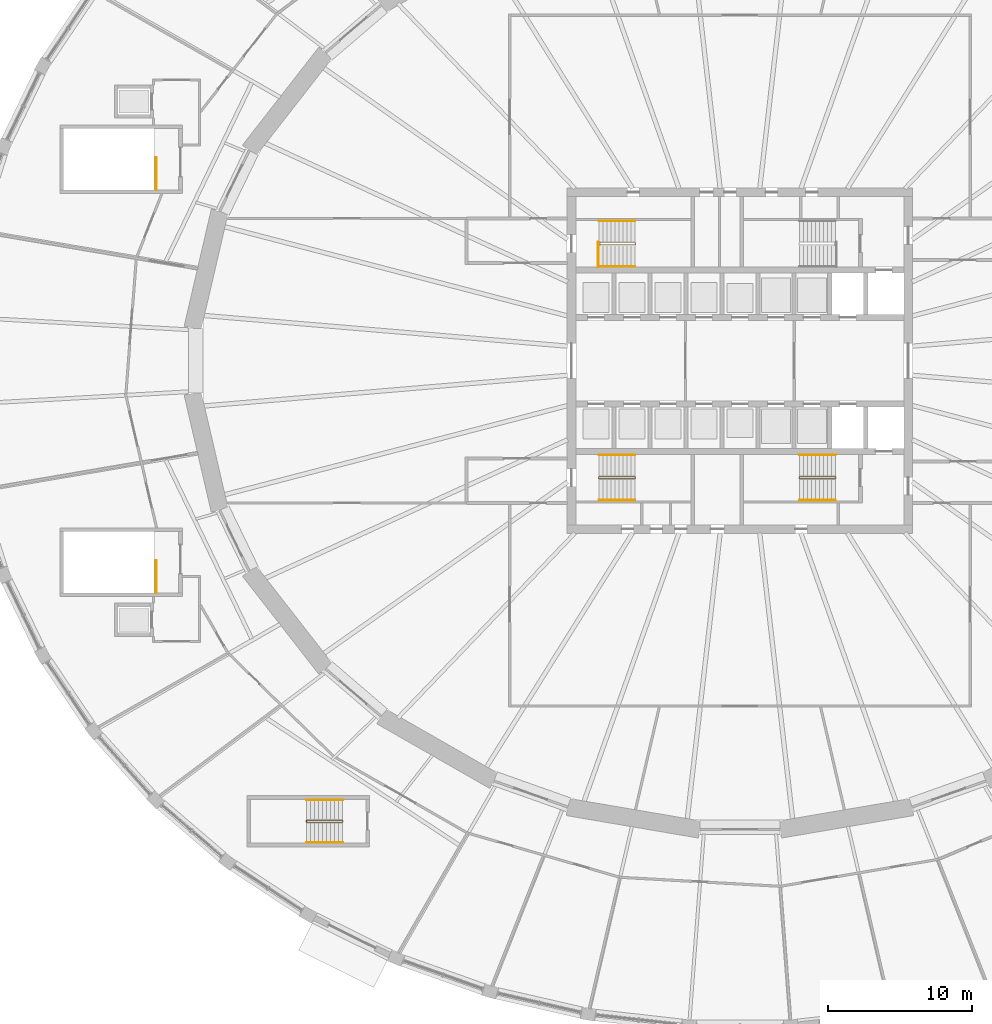
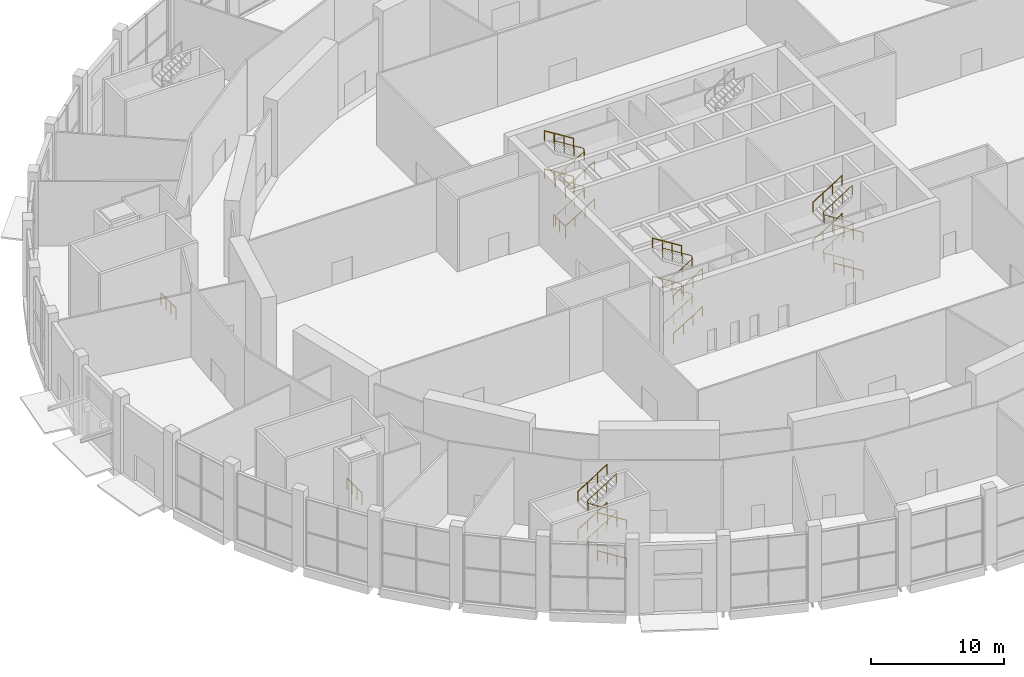
# One storey, part 31 of 33: 23 railings.
"""IFC4 building model written with IfcOpenShell, lengths in metres."""

from ifc_helpers import new_model, si_unit, direction, frame, origin, origin_2d, place, context, subcontext, project, spatial, circle, extrude, material, type_object, element, save


model = new_model("IFC4")

# Units and contexts
model_context = context("Model", 3, precision=1e-05, world=origin(), true_north=direction((0.0, 1.0)))
body_context = subcontext(model_context, "Body", "Model", "MODEL_VIEW")
ifc_project = project(units=[si_unit("LENGTHUNIT", "METRE"), si_unit("AREAUNIT", "SQUARE_METRE"), si_unit("VOLUMEUNIT", "CUBIC_METRE"), si_unit("PLANEANGLEUNIT", "RADIAN"), si_unit("MASSUNIT", "GRAM", prefix="KILO")], contexts=[model_context])

# Site, building, storey
site_placement = place(None, origin())
site = spatial("IfcSite", under=ifc_project, at=site_placement, CompositionType="ELEMENT")
building_placement = place(site_placement, origin())
building = spatial("IfcBuilding", under=site, at=building_placement, Name="Halqa Exchange Tower", CompositionType="ELEMENT")
storey_placement = place(building_placement, origin())
storey = spatial("IfcBuildingStorey", under=building, at=storey_placement, Name="L00", CompositionType="ELEMENT", Elevation=0.0)

# Railings
ifc_material = material(Name="Stainless steel", Category="steel")
railing_type_1 = type_object("IfcRailingType", Name="Stair handrail 900", PredefinedType="HANDRAIL", material=ifc_material)
railing_1_placement = place(storey_placement, frame((-9.800048828125, 8.06005859375, 0.175048828125)))
element("IfcRailing", 1, at=railing_1_placement, inside=storey, type_object=railing_type_1, Name="Handrail ST1.1", PredefinedType="HANDRAIL", context=body_context, shape_type="SweptSolid", body=[
    extrude(circle(Radius=0.02392578125, at=origin_2d()), frame((0.0, 0.0, 0.8759765625), z_axis=(0.848007534815, 0.0, 0.529984170421), x_axis=(0.0, 1.0, 0.0)), (0.0, 0.0, 1.0), 2.9716796875),
    extrude(circle(Radius=0.02392578125, at=origin_2d()), frame((2.52001953125, 0.0, 2.45068359375), z_axis=(0.0, 0.595870227118, 0.803080738428), x_axis=(-1.0, 0.0, 0.0)), (0.0, 0.0, 1.0), 0.218017578125),
    extrude(circle(Radius=0.02392578125, at=origin_2d()), frame((2.52001953125, 0.1298828125, 2.6259765625), z_axis=(-0.848007534815, 0.0, 0.529984170421), x_axis=(0.0, -1.0, 0.0)), (0.0, 0.0, 1.0), 2.9716796875),
    extrude(circle(Radius=0.02392578125, at=origin_2d()), frame((0.0, 0.1298828125, 4.20068359375), z_axis=(0.0, -0.595870227118, 0.803080738428), x_axis=(1.0, 0.0, 0.0)), (0.0, 0.0, 1.0), 0.218017578125),
    extrude(circle(Radius=0.02392578125, at=origin_2d()), frame((0.0, 0.0, 4.3759765625), z_axis=(0.848007534815, 0.0, 0.529984170421), x_axis=(0.0, 1.0, 0.0)), (0.0, 0.0, 1.0), 2.9716796875),
    extrude(circle(Radius=0.02392578125, at=origin_2d()), frame((2.52001953125, 0.0, 5.95068359375), z_axis=(0.0, 0.595870227118, 0.803080738428), x_axis=(-1.0, 0.0, 0.0)), (0.0, 0.0, 1.0), 0.218017578125),
    extrude(circle(Radius=0.02392578125, at=origin_2d()), frame((2.52001953125, 0.1298828125, 6.1259765625), z_axis=(-0.848007534815, 0.0, 0.529984170421), x_axis=(0.0, -1.0, 0.0)), (0.0, 0.0, 1.0), 2.9716796875),
    extrude(circle(Radius=0.02099609375, at=origin_2d()), origin(), (0.0, 0.0, 1.0), 0.851806640625),
    extrude(circle(Radius=0.02099609375, at=origin_2d()), frame((0.840087890625, 0.0, 0.52490234375)), (0.0, 0.0, 1.0), 0.851806640625),
    extrude(circle(Radius=0.02099609375, at=origin_2d()), frame((1.679931640625, 0.0, 1.050048828125)), (0.0, 0.0, 1.0), 0.851806640625),
    extrude(circle(Radius=0.02099609375, at=origin_2d()), frame((2.52001953125, 0.0, 1.574951171875)), (0.0, 0.0, 1.0), 0.851806640625),
    extrude(circle(Radius=0.02099609375, at=origin_2d()), frame((2.52001953125, 0.1298828125, 1.75)), (0.0, 0.0, 1.0), 0.851806640625),
    extrude(circle(Radius=0.02099609375, at=origin_2d()), frame((1.679931640625, 0.1298828125, 2.27490234375)), (0.0, 0.0, 1.0), 0.851806640625),
    extrude(circle(Radius=0.02099609375, at=origin_2d()), frame((0.840087890625, 0.1298828125, 2.800048828125)), (0.0, 0.0, 1.0), 0.851806640625),
    extrude(circle(Radius=0.02099609375, at=origin_2d()), frame((0.0, 0.1298828125, 3.324951171875)), (0.0, 0.0, 1.0), 0.851806640625),
    extrude(circle(Radius=0.02099609375, at=origin_2d()), frame((0.0, 0.0, 3.5)), (0.0, 0.0, 1.0), 0.851806640625),
    extrude(circle(Radius=0.02099609375, at=origin_2d()), frame((0.840087890625, 0.0, 4.02490234375)), (0.0, 0.0, 1.0), 0.851806640625),
    extrude(circle(Radius=0.02099609375, at=origin_2d()), frame((1.679931640625, 0.0, 4.550048828125)), (0.0, 0.0, 1.0), 0.851806640625),
    extrude(circle(Radius=0.02099609375, at=origin_2d()), frame((2.52001953125, 0.0, 5.074951171875)), (0.0, 0.0, 1.0), 0.851806640625),
    extrude(circle(Radius=0.02099609375, at=origin_2d()), frame((2.52001953125, 0.1298828125, 5.25)), (0.0, 0.0, 1.0), 0.851806640625),
    extrude(circle(Radius=0.02099609375, at=origin_2d()), frame((1.679931640625, 0.1298828125, 5.77490234375)), (0.0, 0.0, 1.0), 0.851806640625),
    extrude(circle(Radius=0.02099609375, at=origin_2d()), frame((0.840087890625, 0.1298828125, 6.300048828125)), (0.0, 0.0, 1.0), 0.851806640625),
    extrude(circle(Radius=0.02099609375, at=origin_2d()), frame((0.0, 0.1298828125, 6.824951171875)), (0.0, 0.0, 1.0), 0.851806640625),
])
railing_2_placement = place(storey_placement, frame((-9.800048828125, 6.550048828125, 0.175048828125)))
element("IfcRailing", 2, at=railing_2_placement, inside=storey, type_object=railing_type_1, Name="Handrail ST1.2", PredefinedType="HANDRAIL", context=body_context, shape_type="SweptSolid", body=[
    extrude(circle(Radius=0.02392578125, at=origin_2d()), frame((0.0, 0.0, 0.8759765625), z_axis=(0.848007534815, 0.0, 0.529984170421), x_axis=(0.0, 1.0, 0.0)), (0.0, 0.0, 1.0), 2.9716796875),
    extrude(circle(Radius=0.02099609375, at=origin_2d()), origin(), (0.0, 0.0, 1.0), 0.851806640625),
    extrude(circle(Radius=0.02099609375, at=origin_2d()), frame((0.840087890625, 0.0, 0.52490234375)), (0.0, 0.0, 1.0), 0.851806640625),
    extrude(circle(Radius=0.02099609375, at=origin_2d()), frame((1.679931640625, 0.0, 1.050048828125)), (0.0, 0.0, 1.0), 0.851806640625),
    extrude(circle(Radius=0.02099609375, at=origin_2d()), frame((2.52001953125, 0.0, 1.574951171875)), (0.0, 0.0, 1.0), 0.851806640625),
])
railing_3_placement = place(storey_placement, frame((-7.280029296875, 9.699951171875, 1.925048828125)))
element("IfcRailing", 3, at=railing_3_placement, inside=storey, type_object=railing_type_1, Name="Handrail ST1.3", PredefinedType="HANDRAIL", context=body_context, shape_type="SweptSolid", body=[
    extrude(circle(Radius=0.02392578125, at=origin_2d()), frame((0.0, 0.0, 0.8759765625), z_axis=(-0.848007534815, 0.0, 0.529984170421), x_axis=(0.0, -1.0, 0.0)), (0.0, 0.0, 1.0), 2.9716796875),
    extrude(circle(Radius=0.02099609375, at=origin_2d()), origin(), (0.0, 0.0, 1.0), 0.851806640625),
    extrude(circle(Radius=0.02099609375, at=origin_2d()), frame((-0.840087890625, 0.0, 0.52490234375)), (0.0, 0.0, 1.0), 0.851806640625),
    extrude(circle(Radius=0.02099609375, at=origin_2d()), frame((-1.679931640625, 0.0, 1.050048828125)), (0.0, 0.0, 1.0), 0.851806640625),
    extrude(circle(Radius=0.02099609375, at=origin_2d()), frame((-2.52001953125, 0.0, 1.574951171875)), (0.0, 0.0, 1.0), 0.851806640625),
])
railing_4_placement = place(storey_placement, frame((-9.800048828125, 6.550048828125, 3.675048828125)))
element("IfcRailing", 4, at=railing_4_placement, inside=storey, type_object=railing_type_1, Name="Handrail ST1.4", PredefinedType="HANDRAIL", context=body_context, shape_type="SweptSolid", body=[
    extrude(circle(Radius=0.02392578125, at=origin_2d()), frame((0.0, 0.0, 0.8759765625), z_axis=(0.848007534815, 0.0, 0.529984170421), x_axis=(0.0, 1.0, 0.0)), (0.0, 0.0, 1.0), 2.9716796875),
    extrude(circle(Radius=0.02099609375, at=origin_2d()), origin(), (0.0, 0.0, 1.0), 0.851806640625),
    extrude(circle(Radius=0.02099609375, at=origin_2d()), frame((0.840087890625, 0.0, 0.52490234375)), (0.0, 0.0, 1.0), 0.851806640625),
    extrude(circle(Radius=0.02099609375, at=origin_2d()), frame((1.679931640625, 0.0, 1.050048828125)), (0.0, 0.0, 1.0), 0.851806640625),
    extrude(circle(Radius=0.02099609375, at=origin_2d()), frame((2.52001953125, 0.0, 1.574951171875)), (0.0, 0.0, 1.0), 0.851806640625),
])
railing_5_placement = place(storey_placement, frame((-7.280029296875, 9.699951171875, 5.425048828125)))
element("IfcRailing", 5, at=railing_5_placement, inside=storey, type_object=railing_type_1, Name="Handrail ST1.5", PredefinedType="HANDRAIL", context=body_context, shape_type="SweptSolid", body=[
    extrude(circle(Radius=0.02392578125, at=origin_2d()), frame((0.0, 0.0, 0.8759765625), z_axis=(-0.848007534815, 0.0, 0.529984170421), x_axis=(0.0, -1.0, 0.0)), (0.0, 0.0, 1.0), 2.9716796875),
    extrude(circle(Radius=0.02099609375, at=origin_2d()), origin(), (0.0, 0.0, 1.0), 0.851806640625),
    extrude(circle(Radius=0.02099609375, at=origin_2d()), frame((-0.840087890625, 0.0, 0.52490234375)), (0.0, 0.0, 1.0), 0.851806640625),
    extrude(circle(Radius=0.02099609375, at=origin_2d()), frame((-1.679931640625, 0.0, 1.050048828125)), (0.0, 0.0, 1.0), 0.851806640625),
    extrude(circle(Radius=0.02099609375, at=origin_2d()), frame((-2.52001953125, 0.0, 1.574951171875)), (0.0, 0.0, 1.0), 0.851806640625),
])
railing_6_placement = place(storey_placement, frame((-9.800048828125, -8.18994140625, 0.175048828125)))
element("IfcRailing", 6, at=railing_6_placement, inside=storey, type_object=railing_type_1, Name="Handrail ST3.1", PredefinedType="HANDRAIL", context=body_context, shape_type="SweptSolid", body=[
    extrude(circle(Radius=0.02392578125, at=origin_2d()), frame((0.0, 0.0, 0.8759765625), z_axis=(0.848007534815, 0.0, 0.529984170421), x_axis=(0.0, 1.0, 0.0)), (0.0, 0.0, 1.0), 2.9716796875),
    extrude(circle(Radius=0.02392578125, at=origin_2d()), frame((2.52001953125, 0.0, 2.45068359375), z_axis=(0.0, 0.595870227118, 0.803080738428), x_axis=(-1.0, 0.0, 0.0)), (0.0, 0.0, 1.0), 0.218017578125),
    extrude(circle(Radius=0.02392578125, at=origin_2d()), frame((2.52001953125, 0.1298828125, 2.6259765625), z_axis=(-0.848007534815, 0.0, 0.529984170421), x_axis=(0.0, -1.0, 0.0)), (0.0, 0.0, 1.0), 2.9716796875),
    extrude(circle(Radius=0.02392578125, at=origin_2d()), frame((0.0, 0.1298828125, 4.20068359375), z_axis=(0.0, -0.595870227118, 0.803080738428), x_axis=(1.0, 0.0, 0.0)), (0.0, 0.0, 1.0), 0.218017578125),
    extrude(circle(Radius=0.02392578125, at=origin_2d()), frame((0.0, 0.0, 4.3759765625), z_axis=(0.848007534815, 0.0, 0.529984170421), x_axis=(0.0, 1.0, 0.0)), (0.0, 0.0, 1.0), 2.9716796875),
    extrude(circle(Radius=0.02392578125, at=origin_2d()), frame((2.52001953125, 0.0, 5.95068359375), z_axis=(0.0, 0.595870227118, 0.803080738428), x_axis=(-1.0, 0.0, 0.0)), (0.0, 0.0, 1.0), 0.218017578125),
    extrude(circle(Radius=0.02392578125, at=origin_2d()), frame((2.52001953125, 0.1298828125, 6.1259765625), z_axis=(-0.848007534815, 0.0, 0.529984170421), x_axis=(0.0, -1.0, 0.0)), (0.0, 0.0, 1.0), 2.9716796875),
    extrude(circle(Radius=0.02099609375, at=origin_2d()), origin(), (0.0, 0.0, 1.0), 0.851806640625),
    extrude(circle(Radius=0.02099609375, at=origin_2d()), frame((0.840087890625, 0.0, 0.52490234375)), (0.0, 0.0, 1.0), 0.851806640625),
    extrude(circle(Radius=0.02099609375, at=origin_2d()), frame((1.679931640625, 0.0, 1.050048828125)), (0.0, 0.0, 1.0), 0.851806640625),
    extrude(circle(Radius=0.02099609375, at=origin_2d()), frame((2.52001953125, 0.0, 1.574951171875)), (0.0, 0.0, 1.0), 0.851806640625),
    extrude(circle(Radius=0.02099609375, at=origin_2d()), frame((2.52001953125, 0.1298828125, 1.75)), (0.0, 0.0, 1.0), 0.851806640625),
    extrude(circle(Radius=0.02099609375, at=origin_2d()), frame((1.679931640625, 0.1298828125, 2.27490234375)), (0.0, 0.0, 1.0), 0.851806640625),
    extrude(circle(Radius=0.02099609375, at=origin_2d()), frame((0.840087890625, 0.1298828125, 2.800048828125)), (0.0, 0.0, 1.0), 0.851806640625),
    extrude(circle(Radius=0.02099609375, at=origin_2d()), frame((0.0, 0.1298828125, 3.324951171875)), (0.0, 0.0, 1.0), 0.851806640625),
    extrude(circle(Radius=0.02099609375, at=origin_2d()), frame((0.0, 0.0, 3.5)), (0.0, 0.0, 1.0), 0.851806640625),
    extrude(circle(Radius=0.02099609375, at=origin_2d()), frame((0.840087890625, 0.0, 4.02490234375)), (0.0, 0.0, 1.0), 0.851806640625),
    extrude(circle(Radius=0.02099609375, at=origin_2d()), frame((1.679931640625, 0.0, 4.550048828125)), (0.0, 0.0, 1.0), 0.851806640625),
    extrude(circle(Radius=0.02099609375, at=origin_2d()), frame((2.52001953125, 0.0, 5.074951171875)), (0.0, 0.0, 1.0), 0.851806640625),
    extrude(circle(Radius=0.02099609375, at=origin_2d()), frame((2.52001953125, 0.1298828125, 5.25)), (0.0, 0.0, 1.0), 0.851806640625),
    extrude(circle(Radius=0.02099609375, at=origin_2d()), frame((1.679931640625, 0.1298828125, 5.77490234375)), (0.0, 0.0, 1.0), 0.851806640625),
    extrude(circle(Radius=0.02099609375, at=origin_2d()), frame((0.840087890625, 0.1298828125, 6.300048828125)), (0.0, 0.0, 1.0), 0.851806640625),
    extrude(circle(Radius=0.02099609375, at=origin_2d()), frame((0.0, 0.1298828125, 6.824951171875)), (0.0, 0.0, 1.0), 0.851806640625),
])
railing_7_placement = place(storey_placement, frame((-9.800048828125, -9.699951171875, 0.175048828125)))
element("IfcRailing", 7, at=railing_7_placement, inside=storey, type_object=railing_type_1, Name="Handrail ST3.2", PredefinedType="HANDRAIL", context=body_context, shape_type="SweptSolid", body=[
    extrude(circle(Radius=0.02392578125, at=origin_2d()), frame((0.0, 0.0, 0.8759765625), z_axis=(0.848007534815, 0.0, 0.529984170421), x_axis=(0.0, 1.0, 0.0)), (0.0, 0.0, 1.0), 2.9716796875),
    extrude(circle(Radius=0.02099609375, at=origin_2d()), origin(), (0.0, 0.0, 1.0), 0.851806640625),
    extrude(circle(Radius=0.02099609375, at=origin_2d()), frame((0.840087890625, 0.0, 0.52490234375)), (0.0, 0.0, 1.0), 0.851806640625),
    extrude(circle(Radius=0.02099609375, at=origin_2d()), frame((1.679931640625, 0.0, 1.050048828125)), (0.0, 0.0, 1.0), 0.851806640625),
    extrude(circle(Radius=0.02099609375, at=origin_2d()), frame((2.52001953125, 0.0, 1.574951171875)), (0.0, 0.0, 1.0), 0.851806640625),
])
railing_8_placement = place(storey_placement, frame((-7.280029296875, -6.550048828125, 1.925048828125)))
element("IfcRailing", 8, at=railing_8_placement, inside=storey, type_object=railing_type_1, Name="Handrail ST3.3", PredefinedType="HANDRAIL", context=body_context, shape_type="SweptSolid", body=[
    extrude(circle(Radius=0.02392578125, at=origin_2d()), frame((0.0, 0.0, 0.8759765625), z_axis=(-0.848007534815, 0.0, 0.529984170421), x_axis=(0.0, -1.0, 0.0)), (0.0, 0.0, 1.0), 2.9716796875),
    extrude(circle(Radius=0.02099609375, at=origin_2d()), origin(), (0.0, 0.0, 1.0), 0.851806640625),
    extrude(circle(Radius=0.02099609375, at=origin_2d()), frame((-0.840087890625, 0.0, 0.52490234375)), (0.0, 0.0, 1.0), 0.851806640625),
    extrude(circle(Radius=0.02099609375, at=origin_2d()), frame((-1.679931640625, 0.0, 1.050048828125)), (0.0, 0.0, 1.0), 0.851806640625),
    extrude(circle(Radius=0.02099609375, at=origin_2d()), frame((-2.52001953125, 0.0, 1.574951171875)), (0.0, 0.0, 1.0), 0.851806640625),
])
railing_9_placement = place(storey_placement, frame((-9.800048828125, -9.699951171875, 3.675048828125)))
element("IfcRailing", 9, at=railing_9_placement, inside=storey, type_object=railing_type_1, Name="Handrail ST3.4", PredefinedType="HANDRAIL", context=body_context, shape_type="SweptSolid", body=[
    extrude(circle(Radius=0.02392578125, at=origin_2d()), frame((0.0, 0.0, 0.8759765625), z_axis=(0.848007534815, 0.0, 0.529984170421), x_axis=(0.0, 1.0, 0.0)), (0.0, 0.0, 1.0), 2.9716796875),
    extrude(circle(Radius=0.02099609375, at=origin_2d()), origin(), (0.0, 0.0, 1.0), 0.851806640625),
    extrude(circle(Radius=0.02099609375, at=origin_2d()), frame((0.840087890625, 0.0, 0.52490234375)), (0.0, 0.0, 1.0), 0.851806640625),
    extrude(circle(Radius=0.02099609375, at=origin_2d()), frame((1.679931640625, 0.0, 1.050048828125)), (0.0, 0.0, 1.0), 0.851806640625),
    extrude(circle(Radius=0.02099609375, at=origin_2d()), frame((2.52001953125, 0.0, 1.574951171875)), (0.0, 0.0, 1.0), 0.851806640625),
])
railing_10_placement = place(storey_placement, frame((-7.280029296875, -6.550048828125, 5.425048828125)))
element("IfcRailing", 10, at=railing_10_placement, inside=storey, type_object=railing_type_1, Name="Handrail ST3.5", PredefinedType="HANDRAIL", context=body_context, shape_type="SweptSolid", body=[
    extrude(circle(Radius=0.02392578125, at=origin_2d()), frame((0.0, 0.0, 0.8759765625), z_axis=(-0.848007534815, 0.0, 0.529984170421), x_axis=(0.0, -1.0, 0.0)), (0.0, 0.0, 1.0), 2.9716796875),
    extrude(circle(Radius=0.02099609375, at=origin_2d()), origin(), (0.0, 0.0, 1.0), 0.851806640625),
    extrude(circle(Radius=0.02099609375, at=origin_2d()), frame((-0.840087890625, 0.0, 0.52490234375)), (0.0, 0.0, 1.0), 0.851806640625),
    extrude(circle(Radius=0.02099609375, at=origin_2d()), frame((-1.679931640625, 0.0, 1.050048828125)), (0.0, 0.0, 1.0), 0.851806640625),
    extrude(circle(Radius=0.02099609375, at=origin_2d()), frame((-2.52001953125, 0.0, 1.574951171875)), (0.0, 0.0, 1.0), 0.851806640625),
])
railing_11_placement = place(storey_placement, frame((6.64990234375, -8.18994140625, 0.175048828125)))
element("IfcRailing", 11, at=railing_11_placement, inside=storey, type_object=railing_type_1, Name="Handrail ST4.1", PredefinedType="HANDRAIL", context=body_context, shape_type="SweptSolid", body=[
    extrude(circle(Radius=0.02392578125, at=origin_2d()), frame((0.0, 0.0, 0.8759765625), z_axis=(-0.848007534815, 0.0, 0.529984170421), x_axis=(0.0, -1.0, 0.0)), (0.0, 0.0, 1.0), 2.9716796875),
    extrude(circle(Radius=0.02392578125, at=origin_2d()), frame((-2.52001953125, 0.0, 2.45068359375), z_axis=(0.0, 0.595870227118, 0.803080738428), x_axis=(-1.0, 0.0, 0.0)), (0.0, 0.0, 1.0), 0.218017578125),
    extrude(circle(Radius=0.02392578125, at=origin_2d()), frame((-2.52001953125, 0.1298828125, 2.6259765625), z_axis=(0.848007534815, 0.0, 0.529984170421), x_axis=(0.0, 1.0, 0.0)), (0.0, 0.0, 1.0), 2.9716796875),
    extrude(circle(Radius=0.02392578125, at=origin_2d()), frame((0.0, 0.1298828125, 4.20068359375), z_axis=(0.0, -0.595870227118, 0.803080738428), x_axis=(1.0, 0.0, 0.0)), (0.0, 0.0, 1.0), 0.218017578125),
    extrude(circle(Radius=0.02392578125, at=origin_2d()), frame((0.0, 0.0, 4.3759765625), z_axis=(-0.848007534815, 0.0, 0.529984170421), x_axis=(0.0, -1.0, 0.0)), (0.0, 0.0, 1.0), 2.9716796875),
    extrude(circle(Radius=0.02392578125, at=origin_2d()), frame((-2.52001953125, 0.0, 5.95068359375), z_axis=(0.0, 0.595870227118, 0.803080738428), x_axis=(-1.0, 0.0, 0.0)), (0.0, 0.0, 1.0), 0.218017578125),
    extrude(circle(Radius=0.02392578125, at=origin_2d()), frame((-2.52001953125, 0.1298828125, 6.1259765625), z_axis=(0.848007534815, 0.0, 0.529984170421), x_axis=(0.0, 1.0, 0.0)), (0.0, 0.0, 1.0), 2.9716796875),
    extrude(circle(Radius=0.02099609375, at=origin_2d()), origin(), (0.0, 0.0, 1.0), 0.851806640625),
    extrude(circle(Radius=0.02099609375, at=origin_2d()), frame((-0.840087890625, 0.0, 0.52490234375)), (0.0, 0.0, 1.0), 0.851806640625),
    extrude(circle(Radius=0.02099609375, at=origin_2d()), frame((-1.679931640625, 0.0, 1.050048828125)), (0.0, 0.0, 1.0), 0.851806640625),
    extrude(circle(Radius=0.02099609375, at=origin_2d()), frame((-2.52001953125, 0.0, 1.574951171875)), (0.0, 0.0, 1.0), 0.851806640625),
    extrude(circle(Radius=0.02099609375, at=origin_2d()), frame((-2.52001953125, 0.1298828125, 1.75)), (0.0, 0.0, 1.0), 0.851806640625),
    extrude(circle(Radius=0.02099609375, at=origin_2d()), frame((-1.679931640625, 0.1298828125, 2.27490234375)), (0.0, 0.0, 1.0), 0.851806640625),
    extrude(circle(Radius=0.02099609375, at=origin_2d()), frame((-0.840087890625, 0.1298828125, 2.800048828125)), (0.0, 0.0, 1.0), 0.851806640625),
    extrude(circle(Radius=0.02099609375, at=origin_2d()), frame((0.0, 0.1298828125, 3.324951171875)), (0.0, 0.0, 1.0), 0.851806640625),
    extrude(circle(Radius=0.02099609375, at=origin_2d()), frame((0.0, 0.0, 3.5)), (0.0, 0.0, 1.0), 0.851806640625),
    extrude(circle(Radius=0.02099609375, at=origin_2d()), frame((-0.840087890625, 0.0, 4.02490234375)), (0.0, 0.0, 1.0), 0.851806640625),
    extrude(circle(Radius=0.02099609375, at=origin_2d()), frame((-1.679931640625, 0.0, 4.550048828125)), (0.0, 0.0, 1.0), 0.851806640625),
    extrude(circle(Radius=0.02099609375, at=origin_2d()), frame((-2.52001953125, 0.0, 5.074951171875)), (0.0, 0.0, 1.0), 0.851806640625),
    extrude(circle(Radius=0.02099609375, at=origin_2d()), frame((-2.52001953125, 0.1298828125, 5.25)), (0.0, 0.0, 1.0), 0.851806640625),
    extrude(circle(Radius=0.02099609375, at=origin_2d()), frame((-1.679931640625, 0.1298828125, 5.77490234375)), (0.0, 0.0, 1.0), 0.851806640625),
    extrude(circle(Radius=0.02099609375, at=origin_2d()), frame((-0.840087890625, 0.1298828125, 6.300048828125)), (0.0, 0.0, 1.0), 0.851806640625),
    extrude(circle(Radius=0.02099609375, at=origin_2d()), frame((0.0, 0.1298828125, 6.824951171875)), (0.0, 0.0, 1.0), 0.851806640625),
])
railing_12_placement = place(storey_placement, frame((6.64990234375, -9.699951171875, 0.175048828125)))
element("IfcRailing", 12, at=railing_12_placement, inside=storey, type_object=railing_type_1, Name="Handrail ST4.2", PredefinedType="HANDRAIL", context=body_context, shape_type="SweptSolid", body=[
    extrude(circle(Radius=0.02392578125, at=origin_2d()), frame((0.0, 0.0, 0.8759765625), z_axis=(-0.848007534815, 0.0, 0.529984170421), x_axis=(0.0, -1.0, 0.0)), (0.0, 0.0, 1.0), 2.9716796875),
    extrude(circle(Radius=0.02099609375, at=origin_2d()), origin(), (0.0, 0.0, 1.0), 0.851806640625),
    extrude(circle(Radius=0.02099609375, at=origin_2d()), frame((-0.840087890625, 0.0, 0.52490234375)), (0.0, 0.0, 1.0), 0.851806640625),
    extrude(circle(Radius=0.02099609375, at=origin_2d()), frame((-1.679931640625, 0.0, 1.050048828125)), (0.0, 0.0, 1.0), 0.851806640625),
    extrude(circle(Radius=0.02099609375, at=origin_2d()), frame((-2.52001953125, 0.0, 1.574951171875)), (0.0, 0.0, 1.0), 0.851806640625),
])
railing_13_placement = place(storey_placement, frame((4.1298828125, -6.550048828125, 1.925048828125)))
element("IfcRailing", 13, at=railing_13_placement, inside=storey, type_object=railing_type_1, Name="Handrail ST4.3", PredefinedType="HANDRAIL", context=body_context, shape_type="SweptSolid", body=[
    extrude(circle(Radius=0.02392578125, at=origin_2d()), frame((0.0, 0.0, 0.8759765625), z_axis=(0.848007534815, 0.0, 0.529984170421), x_axis=(0.0, 1.0, 0.0)), (0.0, 0.0, 1.0), 2.9716796875),
    extrude(circle(Radius=0.02099609375, at=origin_2d()), origin(), (0.0, 0.0, 1.0), 0.851806640625),
    extrude(circle(Radius=0.02099609375, at=origin_2d()), frame((0.840087890625, 0.0, 0.52490234375)), (0.0, 0.0, 1.0), 0.851806640625),
    extrude(circle(Radius=0.02099609375, at=origin_2d()), frame((1.679931640625, 0.0, 1.050048828125)), (0.0, 0.0, 1.0), 0.851806640625),
    extrude(circle(Radius=0.02099609375, at=origin_2d()), frame((2.52001953125, 0.0, 1.574951171875)), (0.0, 0.0, 1.0), 0.851806640625),
])
railing_14_placement = place(storey_placement, frame((6.64990234375, -9.699951171875, 3.675048828125)))
element("IfcRailing", 14, at=railing_14_placement, inside=storey, type_object=railing_type_1, Name="Handrail ST4.4", PredefinedType="HANDRAIL", context=body_context, shape_type="SweptSolid", body=[
    extrude(circle(Radius=0.02392578125, at=origin_2d()), frame((0.0, 0.0, 0.8759765625), z_axis=(-0.848007534815, 0.0, 0.529984170421), x_axis=(0.0, -1.0, 0.0)), (0.0, 0.0, 1.0), 2.9716796875),
    extrude(circle(Radius=0.02099609375, at=origin_2d()), origin(), (0.0, 0.0, 1.0), 0.851806640625),
    extrude(circle(Radius=0.02099609375, at=origin_2d()), frame((-0.840087890625, 0.0, 0.52490234375)), (0.0, 0.0, 1.0), 0.851806640625),
    extrude(circle(Radius=0.02099609375, at=origin_2d()), frame((-1.679931640625, 0.0, 1.050048828125)), (0.0, 0.0, 1.0), 0.851806640625),
    extrude(circle(Radius=0.02099609375, at=origin_2d()), frame((-2.52001953125, 0.0, 1.574951171875)), (0.0, 0.0, 1.0), 0.851806640625),
])
railing_15_placement = place(storey_placement, frame((4.1298828125, -6.550048828125, 5.425048828125)))
element("IfcRailing", 15, at=railing_15_placement, inside=storey, type_object=railing_type_1, Name="Handrail ST4.5", PredefinedType="HANDRAIL", context=body_context, shape_type="SweptSolid", body=[
    extrude(circle(Radius=0.02392578125, at=origin_2d()), frame((0.0, 0.0, 0.8759765625), z_axis=(0.848007534815, 0.0, 0.529984170421), x_axis=(0.0, 1.0, 0.0)), (0.0, 0.0, 1.0), 2.9716796875),
    extrude(circle(Radius=0.02099609375, at=origin_2d()), origin(), (0.0, 0.0, 1.0), 0.851806640625),
    extrude(circle(Radius=0.02099609375, at=origin_2d()), frame((0.840087890625, 0.0, 0.52490234375)), (0.0, 0.0, 1.0), 0.851806640625),
    extrude(circle(Radius=0.02099609375, at=origin_2d()), frame((1.679931640625, 0.0, 1.050048828125)), (0.0, 0.0, 1.0), 0.851806640625),
    extrude(circle(Radius=0.02099609375, at=origin_2d()), frame((2.52001953125, 0.0, 1.574951171875)), (0.0, 0.0, 1.0), 0.851806640625),
])
railing_16_placement = place(storey_placement, frame((-27.60009765625, -32.06494140625, 0.175048828125)))
element("IfcRailing", 16, at=railing_16_placement, inside=storey, type_object=railing_type_1, Name="Handrail PS4.1", PredefinedType="HANDRAIL", context=body_context, shape_type="SweptSolid", body=[
    extrude(circle(Radius=0.02392578125, at=origin_2d()), frame((0.0, 0.0, 0.8759765625), z_axis=(-0.848007534815, 0.0, 0.529984170421), x_axis=(0.0, -1.0, 0.0)), (0.0, 0.0, 1.0), 2.9716796875),
    extrude(circle(Radius=0.02392578125, at=origin_2d()), frame((-2.52001953125, 0.0, 2.45068359375), z_axis=(0.0, 0.595870227118, 0.803080738428), x_axis=(-1.0, 0.0, 0.0)), (0.0, 0.0, 1.0), 0.218017578125),
    extrude(circle(Radius=0.02392578125, at=origin_2d()), frame((-2.52001953125, 0.1298828125, 2.6259765625), z_axis=(0.848007534815, 0.0, 0.529984170421), x_axis=(0.0, 1.0, 0.0)), (0.0, 0.0, 1.0), 2.9716796875),
    extrude(circle(Radius=0.02392578125, at=origin_2d()), frame((0.0, 0.1298828125, 4.20068359375), z_axis=(0.0, -0.595870227118, 0.803080738428), x_axis=(1.0, 0.0, 0.0)), (0.0, 0.0, 1.0), 0.218017578125),
    extrude(circle(Radius=0.02392578125, at=origin_2d()), frame((0.0, 0.0, 4.3759765625), z_axis=(-0.848007534815, 0.0, 0.529984170421), x_axis=(0.0, -1.0, 0.0)), (0.0, 0.0, 1.0), 2.9716796875),
    extrude(circle(Radius=0.02392578125, at=origin_2d()), frame((-2.52001953125, 0.0, 5.95068359375), z_axis=(0.0, 0.595870227118, 0.803080738428), x_axis=(-1.0, 0.0, 0.0)), (0.0, 0.0, 1.0), 0.218017578125),
    extrude(circle(Radius=0.02392578125, at=origin_2d()), frame((-2.52001953125, 0.1298828125, 6.1259765625), z_axis=(0.848007534815, 0.0, 0.529984170421), x_axis=(0.0, 1.0, 0.0)), (0.0, 0.0, 1.0), 2.9716796875),
    extrude(circle(Radius=0.02099609375, at=origin_2d()), origin(), (0.0, 0.0, 1.0), 0.851806640625),
    extrude(circle(Radius=0.02099609375, at=origin_2d()), frame((-0.840087890625, 0.0, 0.52490234375)), (0.0, 0.0, 1.0), 0.851806640625),
    extrude(circle(Radius=0.02099609375, at=origin_2d()), frame((-1.679931640625, 0.0, 1.050048828125)), (0.0, 0.0, 1.0), 0.851806640625),
    extrude(circle(Radius=0.02099609375, at=origin_2d()), frame((-2.52001953125, 0.0, 1.574951171875)), (0.0, 0.0, 1.0), 0.851806640625),
    extrude(circle(Radius=0.02099609375, at=origin_2d()), frame((-2.52001953125, 0.1298828125, 1.75)), (0.0, 0.0, 1.0), 0.851806640625),
    extrude(circle(Radius=0.02099609375, at=origin_2d()), frame((-1.679931640625, 0.1298828125, 2.27490234375)), (0.0, 0.0, 1.0), 0.851806640625),
    extrude(circle(Radius=0.02099609375, at=origin_2d()), frame((-0.840087890625, 0.1298828125, 2.800048828125)), (0.0, 0.0, 1.0), 0.851806640625),
    extrude(circle(Radius=0.02099609375, at=origin_2d()), frame((0.0, 0.1298828125, 3.324951171875)), (0.0, 0.0, 1.0), 0.851806640625),
    extrude(circle(Radius=0.02099609375, at=origin_2d()), frame((0.0, 0.0, 3.5)), (0.0, 0.0, 1.0), 0.851806640625),
    extrude(circle(Radius=0.02099609375, at=origin_2d()), frame((-0.840087890625, 0.0, 4.02490234375)), (0.0, 0.0, 1.0), 0.851806640625),
    extrude(circle(Radius=0.02099609375, at=origin_2d()), frame((-1.679931640625, 0.0, 4.550048828125)), (0.0, 0.0, 1.0), 0.851806640625),
    extrude(circle(Radius=0.02099609375, at=origin_2d()), frame((-2.52001953125, 0.0, 5.074951171875)), (0.0, 0.0, 1.0), 0.851806640625),
    extrude(circle(Radius=0.02099609375, at=origin_2d()), frame((-2.52001953125, 0.1298828125, 5.25)), (0.0, 0.0, 1.0), 0.851806640625),
    extrude(circle(Radius=0.02099609375, at=origin_2d()), frame((-1.679931640625, 0.1298828125, 5.77490234375)), (0.0, 0.0, 1.0), 0.851806640625),
    extrude(circle(Radius=0.02099609375, at=origin_2d()), frame((-0.840087890625, 0.1298828125, 6.300048828125)), (0.0, 0.0, 1.0), 0.851806640625),
    extrude(circle(Radius=0.02099609375, at=origin_2d()), frame((0.0, 0.1298828125, 6.824951171875)), (0.0, 0.0, 1.0), 0.851806640625),
])
railing_17_placement = place(storey_placement, frame((-27.60009765625, -33.47509765625, 0.175048828125)))
element("IfcRailing", 17, at=railing_17_placement, inside=storey, type_object=railing_type_1, Name="Handrail PS4.2", PredefinedType="HANDRAIL", context=body_context, shape_type="SweptSolid", body=[
    extrude(circle(Radius=0.02392578125, at=origin_2d()), frame((0.0, 0.0, 0.8759765625), z_axis=(-0.848007534815, 0.0, 0.529984170421), x_axis=(0.0, -1.0, 0.0)), (0.0, 0.0, 1.0), 2.9716796875),
    extrude(circle(Radius=0.02099609375, at=origin_2d()), origin(), (0.0, 0.0, 1.0), 0.851806640625),
    extrude(circle(Radius=0.02099609375, at=origin_2d()), frame((-0.840087890625, 0.0, 0.52490234375)), (0.0, 0.0, 1.0), 0.851806640625),
    extrude(circle(Radius=0.02099609375, at=origin_2d()), frame((-1.679931640625, 0.0, 1.050048828125)), (0.0, 0.0, 1.0), 0.851806640625),
    extrude(circle(Radius=0.02099609375, at=origin_2d()), frame((-2.52001953125, 0.0, 1.574951171875)), (0.0, 0.0, 1.0), 0.851806640625),
])
railing_18_placement = place(storey_placement, frame((-30.1201171875, -30.52490234375, 1.925048828125)))
element("IfcRailing", 18, at=railing_18_placement, inside=storey, type_object=railing_type_1, Name="Handrail PS4.3", PredefinedType="HANDRAIL", context=body_context, shape_type="SweptSolid", body=[
    extrude(circle(Radius=0.02392578125, at=origin_2d()), frame((0.0, 0.0, 0.8759765625), z_axis=(0.848007534815, 0.0, 0.529984170421), x_axis=(0.0, 1.0, 0.0)), (0.0, 0.0, 1.0), 2.9716796875),
    extrude(circle(Radius=0.02099609375, at=origin_2d()), origin(), (0.0, 0.0, 1.0), 0.851806640625),
    extrude(circle(Radius=0.02099609375, at=origin_2d()), frame((0.840087890625, 0.0, 0.52490234375)), (0.0, 0.0, 1.0), 0.851806640625),
    extrude(circle(Radius=0.02099609375, at=origin_2d()), frame((1.679931640625, 0.0, 1.050048828125)), (0.0, 0.0, 1.0), 0.851806640625),
    extrude(circle(Radius=0.02099609375, at=origin_2d()), frame((2.52001953125, 0.0, 1.574951171875)), (0.0, 0.0, 1.0), 0.851806640625),
])
railing_19_placement = place(storey_placement, frame((-27.60009765625, -33.47509765625, 3.675048828125)))
element("IfcRailing", 19, at=railing_19_placement, inside=storey, type_object=railing_type_1, Name="Handrail PS4.4", PredefinedType="HANDRAIL", context=body_context, shape_type="SweptSolid", body=[
    extrude(circle(Radius=0.02392578125, at=origin_2d()), frame((0.0, 0.0, 0.8759765625), z_axis=(-0.848007534815, 0.0, 0.529984170421), x_axis=(0.0, -1.0, 0.0)), (0.0, 0.0, 1.0), 2.9716796875),
    extrude(circle(Radius=0.02099609375, at=origin_2d()), origin(), (0.0, 0.0, 1.0), 0.851806640625),
    extrude(circle(Radius=0.02099609375, at=origin_2d()), frame((-0.840087890625, 0.0, 0.52490234375)), (0.0, 0.0, 1.0), 0.851806640625),
    extrude(circle(Radius=0.02099609375, at=origin_2d()), frame((-1.679931640625, 0.0, 1.050048828125)), (0.0, 0.0, 1.0), 0.851806640625),
    extrude(circle(Radius=0.02099609375, at=origin_2d()), frame((-2.52001953125, 0.0, 1.574951171875)), (0.0, 0.0, 1.0), 0.851806640625),
])
railing_20_placement = place(storey_placement, frame((-30.1201171875, -30.52490234375, 5.425048828125)))
element("IfcRailing", 20, at=railing_20_placement, inside=storey, type_object=railing_type_1, Name="Handrail PS4.5", PredefinedType="HANDRAIL", context=body_context, shape_type="SweptSolid", body=[
    extrude(circle(Radius=0.02392578125, at=origin_2d()), frame((0.0, 0.0, 0.8759765625), z_axis=(0.848007534815, 0.0, 0.529984170421), x_axis=(0.0, 1.0, 0.0)), (0.0, 0.0, 1.0), 2.9716796875),
    extrude(circle(Radius=0.02099609375, at=origin_2d()), origin(), (0.0, 0.0, 1.0), 0.851806640625),
    extrude(circle(Radius=0.02099609375, at=origin_2d()), frame((0.840087890625, 0.0, 0.52490234375)), (0.0, 0.0, 1.0), 0.851806640625),
    extrude(circle(Radius=0.02099609375, at=origin_2d()), frame((1.679931640625, 0.0, 1.050048828125)), (0.0, 0.0, 1.0), 0.851806640625),
    extrude(circle(Radius=0.02099609375, at=origin_2d()), frame((2.52001953125, 0.0, 1.574951171875)), (0.0, 0.0, 1.0), 0.851806640625),
])
railing_type_2 = type_object("IfcRailingType", Name="Stair well guard 1100", PredefinedType="GUARDRAIL", material=ifc_material)
railing_21_placement = place(storey_placement, frame((-9.85009765625, 6.5, 0.0)))
element("IfcRailing", 21, at=railing_21_placement, inside=storey, type_object=railing_type_2, Name="Guard ST1 well", PredefinedType="GUARDRAIL", context=body_context, shape_type="SweptSolid", body=[
    extrude(circle(Radius=0.02392578125, at=origin_2d()), frame((0.0, 0.0, 1.076171875), z_axis=(0.0, 1.0, 0.0), x_axis=(-1.0, 0.0, 0.0)), (0.0, 0.0, 1.0), 1.75),
    extrude(circle(Radius=0.02099609375, at=origin_2d()), origin(), (0.0, 0.0, 1.0), 1.052001953125),
    extrude(circle(Radius=0.02099609375, at=origin_2d()), frame((0.0, 0.875, 0.0)), (0.0, 0.0, 1.0), 1.052001953125),
    extrude(circle(Radius=0.02099609375, at=origin_2d()), frame((0.0, 1.75, 0.0)), (0.0, 0.0, 1.0), 1.052001953125),
])
for number, where, name in (
    (22, (-40.550048828125, 11.875, 0.0), "Guard SS3 well"),
    (23, (-40.550048828125, -16.125, 0.0), "Guard SS4 well"),
):
    element("IfcRailing", number, at=place(storey_placement, frame(where)), inside=storey, type_object=railing_type_2, Name=name, PredefinedType="GUARDRAIL", context=body_context, shape_type="SweptSolid", body=[
        extrude(circle(Radius=0.02392578125, at=origin_2d()), frame((0.0, 0.0, 1.076171875), z_axis=(0.0, 1.0, 0.0), x_axis=(-1.0, 0.0, 0.0)), (0.0, 0.0, 1.0), 2.25),
        extrude(circle(Radius=0.02099609375, at=origin_2d()), origin(), (0.0, 0.0, 1.0), 1.052001953125),
        extrude(circle(Radius=0.02099609375, at=origin_2d()), frame((0.0, 0.75, 0.0)), (0.0, 0.0, 1.0), 1.052001953125),
        extrude(circle(Radius=0.02099609375, at=origin_2d()), frame((0.0, 1.5, 0.0)), (0.0, 0.0, 1.0), 1.052001953125),
        extrude(circle(Radius=0.02099609375, at=origin_2d()), frame((0.0, 2.25, 0.0)), (0.0, 0.0, 1.0), 1.052001953125),
    ])

save(model, "model.ifc")
